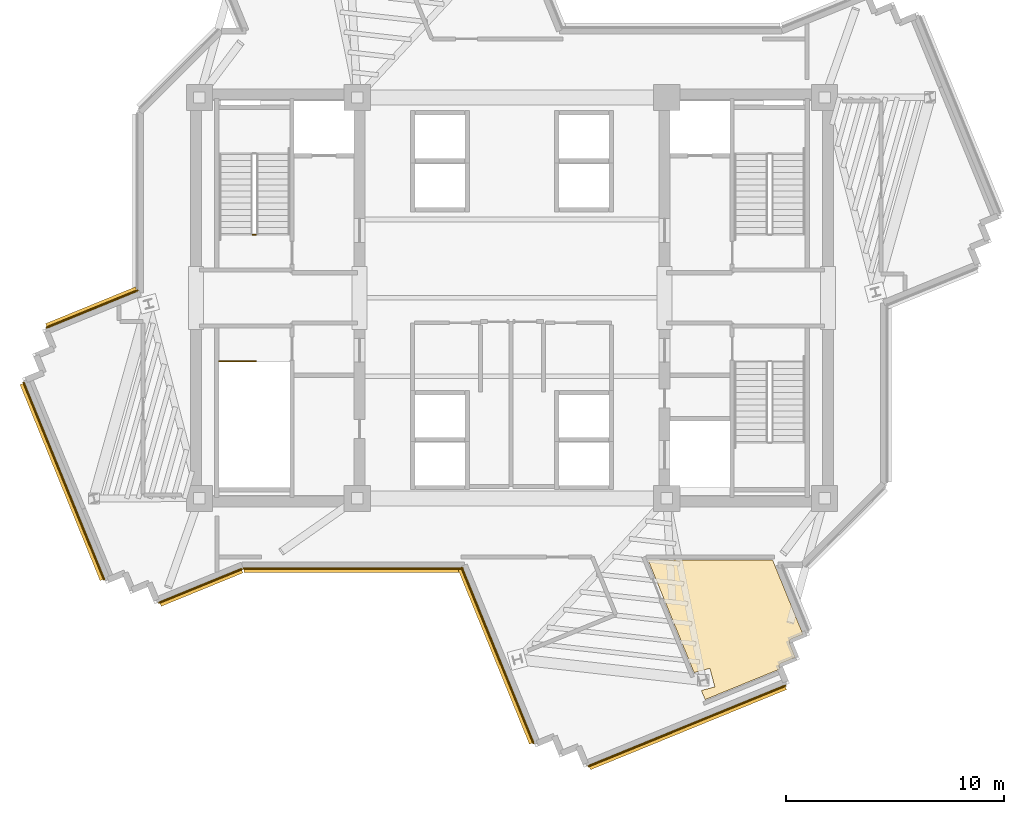
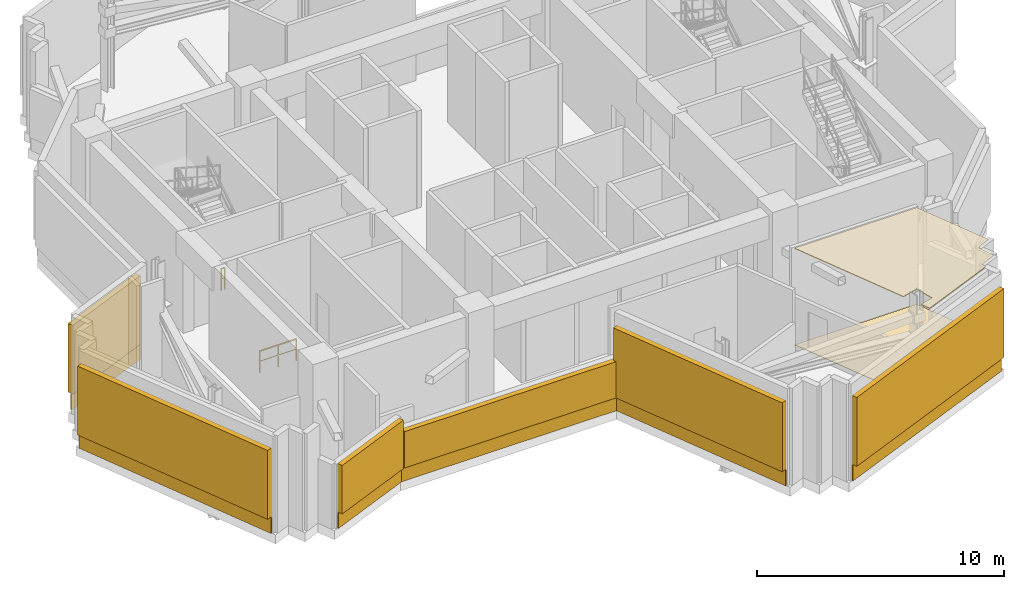
# One storey, part 8 of 11: 8 coverings, 6 shading devices, 2 railings.
"""IFC4 building model written with IfcOpenShell, lengths in metres."""

from ifc_helpers import new_model, si_unit, direction, frame, origin, origin_2d, place, context, subcontext, project, spatial, polyline, rectangle, outline, extrude, source, transform, mapped, material, layer, layer_set, type_object, element, save


model = new_model("IFC4")

# Units and contexts
model_context = context("Model", 3, precision=1e-05, world=origin(), true_north=direction((0.0, 1.0)))
body_context = subcontext(model_context, "Body", "Model", "MODEL_VIEW")
ifc_project = project(units=[si_unit("LENGTHUNIT", "METRE"), si_unit("AREAUNIT", "SQUARE_METRE"), si_unit("VOLUMEUNIT", "CUBIC_METRE"), si_unit("PLANEANGLEUNIT", "RADIAN"), si_unit("MASSUNIT", "GRAM", prefix="KILO")], contexts=[model_context])

# Site, building, storey
site_placement = place(None, origin())
site = spatial("IfcSite", under=ifc_project, at=site_placement, CompositionType="ELEMENT")
building_placement = place(site_placement, origin())
building = spatial("IfcBuilding", under=site, at=building_placement, Name="Zahravan Cultural Tower", CompositionType="ELEMENT")
storey_placement = place(building_placement, frame((0.0, 0.0, 229.199951171875)))
storey = spatial("IfcBuildingStorey", under=building, at=storey_placement, Name="L54", CompositionType="ELEMENT", Elevation=229.199951171875)

# Coverings
ifc_material_1 = material(Name="Acoustic mineral fibreboard")
ifc_layer_1 = layer(ifc_material_1, 0.0400390625)
ifc_layer_set_1 = layer_set([ifc_layer_1], Name="Acoustic mineral fibreboard")
covering_type_1 = type_object("IfcCoveringType", Name="COV-CEIL-AC20", PredefinedType="CEILING", material=ifc_layer_set_1)
covering_1_placement = place(storey_placement, frame((0.0, 0.0, 4.760009765625)))
element("IfcCovering", 1, at=covering_1_placement, inside=storey, type_object=covering_type_1, Name="L54 Acoustic Suspended Ceiling", PredefinedType="CEILING", context=body_context, shape_type="SweptSolid", body=[
    extrude(outline(polyline([(45.0849609375, 9.99658203125), (45.309814453125, 9.145751953125), (44.693603515625, 8.98291015625), (44.864990234375, 8.563720703125), (48.30078125, 9.968017578125), (48.2587890625, 10.076171875), (48.27099609375, 10.155517578125), (48.3193359375, 10.22021484375), (48.9990234375, 10.501708984375), (48.730712890625, 11.1591796875), (48.725341796875, 11.2177734375), (48.743408203125, 11.276123046875), (48.77392578125, 11.31689453125), (48.818115234375, 11.34619140625), (49.35302734375, 11.56494140625), (47.961181640625, 14.969970703125), (42.246337890625, 14.969970703125), (44.35791015625, 9.804443359375), (45.0849609375, 9.99658203125)])), origin(), (0.0, 0.0, 1.0), 0.0400390625),
])
ifc_material_2 = material(Name="Terrazzo flooring")
ifc_layer_2 = layer(ifc_material_2, 0.02490234375)
ifc_layer_set_2 = layer_set([ifc_layer_2], Name="Terrazzo flooring")
covering_type_2 = type_object("IfcCoveringType", Name="COV-FLR-TZ25", PredefinedType="FLOORING", material=ifc_layer_set_2)
covering_2_placement = place(storey_placement, origin())
element("IfcCovering", 2, at=covering_2_placement, inside=storey, type_object=covering_type_2, Name="L54 Polished Terrazzo Flooring", PredefinedType="FLOORING", context=body_context, shape_type="SweptSolid", body=[
    extrude(outline(polyline([(45.0849609375, 9.99658203125), (45.309814453125, 9.145751953125), (44.693603515625, 8.98291015625), (44.864990234375, 8.563720703125), (48.30078125, 9.968017578125), (48.2587890625, 10.076171875), (48.27099609375, 10.155517578125), (48.3193359375, 10.22021484375), (48.9990234375, 10.501708984375), (48.730712890625, 11.1591796875), (48.725341796875, 11.2177734375), (48.743408203125, 11.276123046875), (48.77392578125, 11.31689453125), (48.818115234375, 11.34619140625), (49.35302734375, 11.56494140625), (47.961181640625, 14.969970703125), (42.246337890625, 14.969970703125), (44.35791015625, 9.804443359375), (45.0849609375, 9.99658203125)])), origin(), (0.0, 0.0, 1.0), 0.025146484375),
])

# Railings
ifc_material_3 = material(Name="Steel ASTM A572 Grade 50", Category="steel")
railing_type = type_object("IfcRailingType", Name="RL-STAIR-GRD1150", PredefinedType="BALUSTRADE", material=ifc_material_3)
railing_1_placement = place(storey_placement, frame((24.25, 29.89990234375, 0.0)))
element("IfcRailing", 3, at=railing_1_placement, inside=storey, type_object=railing_type, Name="L54 ST-W1 stair guard 4", PredefinedType="BALUSTRADE", context=body_context, shape_type="SweptSolid", body=[
    extrude(rectangle(XDim=0.05, YDim=0.05, at=origin_2d()), frame((0.0, 0.0, 1.0751953125), z_axis=(-1.0, 0.0, 0.0), x_axis=(0.0, -1.0, 0.0)), (0.0, 0.0, 1.0), 0.14990234375),
    extrude(rectangle(XDim=0.032, YDim=0.032, at=origin_2d()), frame((0.0, 0.0, 0.572021484375), z_axis=(-1.0, 0.0, 0.0), x_axis=(0.0, -1.0, 0.0)), (0.0, 0.0, 1.0), 0.14990234375),
    extrude(rectangle(XDim=0.04, YDim=0.04, at=origin_2d()), origin(), (0.0, 0.0, 1.0), 1.10009765625),
    extrude(rectangle(XDim=0.04, YDim=0.04, at=origin_2d()), frame((-0.14990234375, 0.0, 0.0)), (0.0, 0.0, 1.0), 1.10009765625),
])
railing_2_placement = place(storey_placement, frame((22.550048828125, 24.10009765625, 0.0)))
element("IfcRailing", 4, at=railing_2_placement, inside=storey, type_object=railing_type, Name="L54 ST-W2 top well guard 1", PredefinedType="BALUSTRADE", context=body_context, shape_type="SweptSolid", body=[
    extrude(rectangle(XDim=0.05, YDim=0.05, at=origin_2d()), frame((0.0, 0.0, 1.0751953125), z_axis=(1.0, 0.0, 0.0), x_axis=(0.0, 1.0, 0.0)), (0.0, 0.0, 1.0), 1.699951171875),
    extrude(rectangle(XDim=0.032, YDim=0.032, at=origin_2d()), frame((0.0, 0.0, 0.572021484375), z_axis=(1.0, 0.0, 0.0), x_axis=(0.0, 1.0, 0.0)), (0.0, 0.0, 1.0), 1.699951171875),
    extrude(rectangle(XDim=0.04, YDim=0.04, at=origin_2d()), origin(), (0.0, 0.0, 1.0), 1.10009765625),
    extrude(rectangle(XDim=0.04, YDim=0.04, at=origin_2d()), frame((0.85009765625, 0.0, 0.0)), (0.0, 0.0, 1.0), 1.10009765625),
    extrude(rectangle(XDim=0.04, YDim=0.04, at=origin_2d()), frame((1.699951171875, 0.0, 0.0)), (0.0, 0.0, 1.0), 1.10009765625),
])

# Covering
ifc_material_4 = material(Name="Terracotta ceramic cladding", Category="masonry")
ifc_layer_3 = layer(ifc_material_4, 0.06005859375)
ifc_layer_set_3 = layer_set([ifc_layer_3], Name="Terracotta ceramic cladding")
covering_type_3 = type_object("IfcCoveringType", Name="COV-CLAD-TC60", PredefinedType="CLADDING", material=ifc_layer_set_3)
shared_shape_1 = source(origin(), body_context, "Body", "SweptSolid", [
    extrude(rectangle(XDim=9.820068359375, YDim=0.06005859375, at=origin_2d()), origin(), (0.0, 0.0, 1.0), 0.760009765625),
])
covering_3_placement = place(storey_placement, frame((44.031005859375, 7.35302734375, 0.02001953125), z_axis=(0.0, 0.0, 1.0), x_axis=(-0.925652810583, -0.378373987294, 0.0)))
element("IfcCovering", 5, at=covering_3_placement, inside=storey, type_object=covering_type_3, Name="L54 Terracotta Spandrel Cladding 20", PredefinedType="CLADDING", context=body_context, shape_type="MappedRepresentation", body=[
    mapped(shared_shape_1, transform((0.0, 0.0, 0.0), x_axis=(1.0, 0.0, 0.0), y_axis=(0.0, 1.0, 0.0), z_axis=(0.0, 0.0, 1.0), scale=1.0)),
])

# Shading devices
ifc_material_5 = material(Name="Architectural terracotta fin", Category="masonry")
shading_device_type = type_object("IfcShadingDeviceType", Name="SHD-LOUVRE-BAND", PredefinedType="JALOUSIE", material=ifc_material_5)
shared_shape_2 = source(origin(), body_context, "Body", "SweptSolid", [
    extrude(rectangle(XDim=9.719970703125, YDim=0.239990234375, at=origin_2d()), origin(), (0.0, 0.0, 1.0), 3.39990234375),
])
for number, where, z_axis, x_axis, name in (
    (6, (44.0556640625, 7.29296875, 0.780029296875), (0.0, 0.0, 1.0), (-0.925652810583, -0.378373987294, 0.0), "L54 Terracotta Acoustic Louvre 07"),
    (7, (15.3671875, 18.56591796875, 0.780029296875), (0.0, 0.0, 1.0), (-0.378373987294, 0.925652810583, 0.0), "L54 Terracotta Acoustic Louvre 11"),
):
    element("IfcShadingDevice", number, at=place(storey_placement, frame(where, z_axis=z_axis, x_axis=x_axis)), inside=storey, type_object=shading_device_type, Name=name, PredefinedType="JALOUSIE", context=body_context, shape_type="MappedRepresentation", body=[
        mapped(shared_shape_2, transform((0.0, 0.0, 0.0), x_axis=(1.0, 0.0, 0.0), y_axis=(0.0, 1.0, 0.0), z_axis=(0.0, 0.0, 1.0), scale=1.0)),
    ])

# Coverings
shared_shape_3 = source(origin(), body_context, "Body", "SweptSolid", [
    extrude(rectangle(XDim=9.81982421875, YDim=0.06005859375, at=origin_2d()), origin(), (0.0, 0.0, 1.0), 0.760009765625),
])
covering_4_placement = place(storey_placement, frame((15.427490234375, 18.590576171875, 0.02001953125), z_axis=(0.0, 0.0, 1.0), x_axis=(-0.378373987294, 0.925652810583, 0.0)))
element("IfcCovering", 8, at=covering_4_placement, inside=storey, type_object=covering_type_3, Name="L54 Terracotta Spandrel Cladding 32", PredefinedType="CLADDING", context=body_context, shape_type="MappedRepresentation", body=[
    mapped(shared_shape_3, transform((0.0, 0.0, 0.0), x_axis=(1.0, 0.0, 0.0), y_axis=(0.0, 1.0, 0.0), z_axis=(0.0, 0.0, 1.0), scale=1.0)),
])
shared_shape_4 = source(origin(), body_context, "Body", "SweptSolid", [
    extrude(rectangle(XDim=4.1513671875, YDim=0.06005859375, at=origin_2d()), origin(), (0.0, 0.0, 1.0), 0.760009765625),
])
covering_5_placement = place(storey_placement, frame((21.703857421875, 13.782958984375, 0.02001953125), z_axis=(0.0, 0.0, 1.0), x_axis=(-0.925652810583, -0.378373987294, 0.0)))
element("IfcCovering", 9, at=covering_5_placement, inside=storey, type_object=covering_type_3, Name="L54 Terracotta Spandrel Cladding 27", PredefinedType="CLADDING", context=body_context, shape_type="MappedRepresentation", body=[
    mapped(shared_shape_4, transform((0.0, 0.0, 0.0), x_axis=(1.0, 0.0, 0.0), y_axis=(0.0, 1.0, 0.0), z_axis=(0.0, 0.0, 1.0), scale=1.0)),
])

# Shading device
shared_shape_5 = source(origin(), body_context, "Body", "SweptSolid", [
    extrude(rectangle(XDim=4.051513671875, YDim=0.239990234375, at=origin_2d()), origin(), (0.0, 0.0, 1.0), 2.39208984375),
])
shading_device_1_placement = place(storey_placement, frame((21.728515625, 13.722900390625, 0.780029296875), z_axis=(0.0, 0.0, 1.0), x_axis=(-0.925652810583, -0.378373987294, 0.0)))
element("IfcShadingDevice", 10, at=shading_device_1_placement, inside=storey, type_object=shading_device_type, Name="L54 Terracotta Acoustic Louvre 10", PredefinedType="JALOUSIE", context=body_context, shape_type="MappedRepresentation", body=[
    mapped(shared_shape_5, transform((0.0, 0.0, 0.0), x_axis=(1.0, 0.0, 0.0), y_axis=(0.0, 1.0, 0.0), z_axis=(0.0, 0.0, 1.0), scale=1.0)),
])

# Covering
shared_shape_6 = source(origin(), body_context, "Body", "SweptSolid", [
    extrude(rectangle(XDim=4.552001953125, YDim=0.06005859375, at=origin_2d()), origin(), (0.0, 0.0, 1.0), 0.760009765625),
])
covering_6_placement = place(storey_placement, frame((16.724609375, 26.493896484375, 0.02001953125), z_axis=(0.0, 0.0, 1.0), x_axis=(0.925652810583, 0.378373987294, 0.0)))
element("IfcCovering", 11, at=covering_6_placement, inside=storey, type_object=covering_type_3, Name="L54 Terracotta Spandrel Cladding 37", PredefinedType="CLADDING", context=body_context, shape_type="MappedRepresentation", body=[
    mapped(shared_shape_6, transform((0.0, 0.0, 0.0), x_axis=(1.0, 0.0, 0.0), y_axis=(0.0, 1.0, 0.0), z_axis=(0.0, 0.0, 1.0), scale=1.0)),
])

# Shading device
shared_shape_7 = source(origin(), body_context, "Body", "SweptSolid", [
    extrude(rectangle(XDim=4.4521484375, YDim=0.239990234375, at=origin_2d()), origin(), (0.0, 0.0, 1.0), 3.39990234375),
])
shading_device_2_placement = place(storey_placement, frame((16.699951171875, 26.55419921875, 0.780029296875), z_axis=(0.0, 0.0, 1.0), x_axis=(0.925652810583, 0.378373987294, 0.0)))
element("IfcShadingDevice", 12, at=shading_device_2_placement, inside=storey, type_object=shading_device_type, Name="L54 Terracotta Acoustic Louvre 12", PredefinedType="JALOUSIE", context=body_context, shape_type="MappedRepresentation", body=[
    mapped(shared_shape_7, transform((0.0, 0.0, 0.0), x_axis=(1.0, 0.0, 0.0), y_axis=(0.0, 1.0, 0.0), z_axis=(0.0, 0.0, 1.0), scale=1.0)),
])

# Covering
shared_shape_8 = source(origin(), body_context, "Body", "SweptSolid", [
    extrude(rectangle(XDim=8.73779296875, YDim=0.06005859375, at=origin_2d()), origin(), (0.0, 0.0, 1.0), 0.760009765625),
])
covering_7_placement = place(storey_placement, frame((35.3359375, 10.58740234375, 0.02001953125), z_axis=(0.0, 0.0, 1.0), x_axis=(-0.378373987294, 0.925652810583, 0.0)))
element("IfcCovering", 13, at=covering_7_placement, inside=storey, type_object=covering_type_3, Name="L54 Terracotta Spandrel Cladding 25", PredefinedType="CLADDING", context=body_context, shape_type="MappedRepresentation", body=[
    mapped(shared_shape_8, transform((0.0, 0.0, 0.0), x_axis=(1.0, 0.0, 0.0), y_axis=(0.0, 1.0, 0.0), z_axis=(0.0, 0.0, 1.0), scale=1.0)),
])

# Shading device
shared_shape_9 = source(origin(), body_context, "Body", "SweptSolid", [
    extrude(rectangle(XDim=8.6376953125, YDim=0.239990234375, at=origin_2d()), origin(), (0.0, 0.0, 1.0), 3.39990234375),
])
shading_device_3_placement = place(storey_placement, frame((35.275634765625, 10.562744140625, 0.780029296875), z_axis=(0.0, 0.0, 1.0), x_axis=(-0.378373987294, 0.925652810583, 0.0)))
element("IfcShadingDevice", 14, at=shading_device_3_placement, inside=storey, type_object=shading_device_type, Name="L54 Terracotta Acoustic Louvre 08", PredefinedType="JALOUSIE", context=body_context, shape_type="MappedRepresentation", body=[
    mapped(shared_shape_9, transform((0.0, 0.0, 0.0), x_axis=(1.0, 0.0, 0.0), y_axis=(0.0, 1.0, 0.0), z_axis=(0.0, 0.0, 1.0), scale=1.0)),
])

# Covering
shared_shape_10 = source(origin(), body_context, "Body", "SweptSolid", [
    extrude(rectangle(XDim=10.107666015625, YDim=0.06005859375, at=origin_2d()), origin(), (0.0, 0.0, 1.0), 0.760009765625),
])
covering_8_placement = place(storey_placement, frame((28.712890625, 14.574951171875, 0.02001953125), z_axis=(0.0, 0.0, 1.0), x_axis=(-1.0, 0.0, 0.0)))
element("IfcCovering", 15, at=covering_8_placement, inside=storey, type_object=covering_type_3, Name="L54 Terracotta Spandrel Cladding 26", PredefinedType="CLADDING", context=body_context, shape_type="MappedRepresentation", body=[
    mapped(shared_shape_10, transform((0.0, 0.0, 0.0), x_axis=(1.0, 0.0, 0.0), y_axis=(0.0, 1.0, 0.0), z_axis=(0.0, 0.0, 1.0), scale=1.0)),
])

# Shading device
shared_shape_11 = source(origin(), body_context, "Body", "SweptSolid", [
    extrude(rectangle(XDim=10.007568359375, YDim=0.239990234375, at=origin_2d()), origin(), (0.0, 0.0, 1.0), 1.7919921875),
])
shading_device_4_placement = place(storey_placement, frame((28.712890625, 14.510009765625, 0.780029296875), z_axis=(0.0, 0.0, 1.0), x_axis=(-1.0, 0.0, 0.0)))
element("IfcShadingDevice", 16, at=shading_device_4_placement, inside=storey, type_object=shading_device_type, Name="L54 Terracotta Acoustic Louvre 09", PredefinedType="JALOUSIE", context=body_context, shape_type="MappedRepresentation", body=[
    mapped(shared_shape_11, transform((0.0, 0.0, 0.0), x_axis=(1.0, 0.0, 0.0), y_axis=(0.0, 1.0, 0.0), z_axis=(0.0, 0.0, 1.0), scale=1.0)),
])

save(model, "model.ifc")
